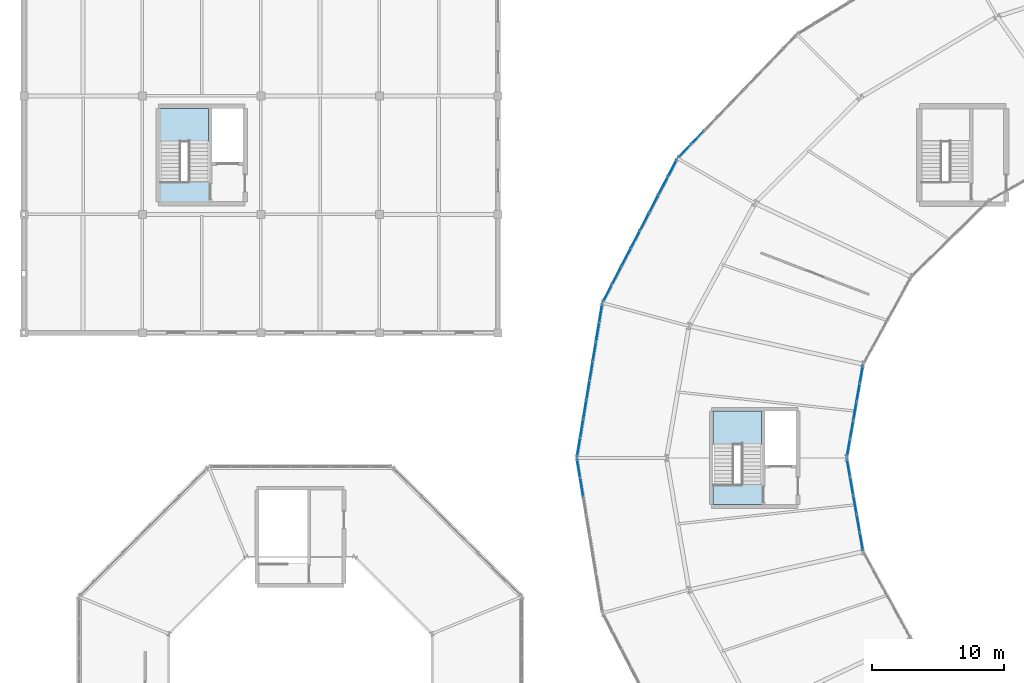
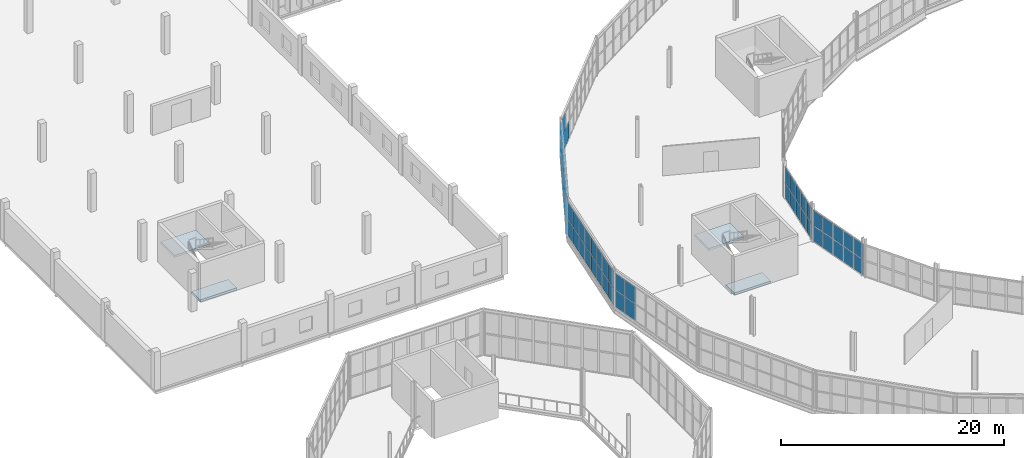
# One storey, part 113 of 161: 59 plates, 4 slabs, 8 elements without a shape of their own.
"""IFC4 building model written with IfcOpenShell, lengths in metres."""

from ifc_helpers import new_model, si_unit, direction, frame, origin, origin_2d, place, context, subcontext, project, spatial, polyline, rectangle, outline, extrude, material, layer, layer_set, type_object, element, aggregate, save


model = new_model("IFC4")

# Units and contexts
model_context = context("Model", 3, precision=1e-05, world=origin(), true_north=direction((0.0, 1.0)))
body_context = subcontext(model_context, "Body", "Model", "MODEL_VIEW")
ifc_project = project(units=[si_unit("LENGTHUNIT", "METRE"), si_unit("AREAUNIT", "SQUARE_METRE"), si_unit("VOLUMEUNIT", "CUBIC_METRE"), si_unit("PLANEANGLEUNIT", "RADIAN"), si_unit("MASSUNIT", "GRAM", prefix="KILO")], contexts=[model_context])

# Site, building, storey
site_placement = place(None, origin())
site = spatial("IfcSite", under=ifc_project, at=site_placement, CompositionType="ELEMENT")
building_placement = place(site_placement, origin())
building = spatial("IfcBuilding", under=site, at=building_placement, Name="Kildeholm Park Wholesale Market", CompositionType="ELEMENT")
storey_placement = place(building_placement, frame((0.0, 0.0, 5.39990234375)))
storey = spatial("IfcBuildingStorey", under=building, at=storey_placement, Name="L01", CompositionType="ELEMENT", Elevation=5.39990234375)

# Curtain wall, plates
ifc_material_1 = material(Name="Anodised aluminium and low-E double-glazed glass", Category="aluminium")
curtain_wall_type = type_object("IfcCurtainWallType", Name="Market hall glazed arcade stick curtain wall CW-01", PredefinedType="NOTDEFINED", material=ifc_material_1)
curtain_wall_1_placement = place(storey_placement, origin())
curtain_wall_1 = element("IfcCurtainWall", 1, at=curtain_wall_1_placement, inside=storey, type_object=curtain_wall_type, Name="Curtain wall CW-V1-OT-09-1 CW-0044", PredefinedType="NOTDEFINED")
ifc_material_2 = material(Name="Double-glazed low-E insulated glass", Category="glass")
ifc_layer_1 = layer(ifc_material_2, 0.028076171875)
ifc_layer_set_1 = layer_set([ifc_layer_1], Name="Double-glazed low-E insulated glass")
plate_type = type_object("IfcPlateType", Name="Curtain-wall panel CWP-1 28 mm", PredefinedType="CURTAIN_PANEL", material=ifc_layer_set_1)
plate_1_placement = place(storey_placement, frame((51.15966796875, 113.843017578125, 0.06494140625), z_axis=(0.0, 0.0, 1.0), x_axis=(-0.69303795493, -0.720901097951, 0.0)))
plate_1 = element("IfcPlate", 2, at=plate_1_placement, type_object=plate_type, Name="CW-01 panel 8.1 PLT-0776", PredefinedType="CURTAIN_PANEL", context=body_context, shape_type="SweptSolid", body=[
    extrude(rectangle(XDim=1.378662109375, YDim=0.028076171875, at=origin_2d()), origin(), (0.0, 0.0, 1.0), 1.802490234375),
])
plate_2_placement = place(storey_placement, frame((50.17041015625, 112.81396484375, 0.06494140625), z_axis=(0.0, 0.0, 1.0), x_axis=(-0.69303795493, -0.720901097951, 0.0)))
plate_2 = element("IfcPlate", 3, at=plate_2_placement, type_object=plate_type, Name="CW-01 panel 9.1 PLT-0778", PredefinedType="CURTAIN_PANEL", context=body_context, shape_type="SweptSolid", body=[
    extrude(rectangle(XDim=1.345947265625, YDim=0.028076171875, at=origin_2d()), origin(), (0.0, 0.0, 1.0), 1.802490234375),
])
plate_3_placement = place(storey_placement, frame((50.17041015625, 112.81396484375, 1.9326171875), z_axis=(0.0, 0.0, 1.0), x_axis=(-0.69303795493, -0.720901097951, 0.0)))
plate_3 = element("IfcPlate", 4, at=plate_3_placement, type_object=plate_type, Name="CW-01 panel 9.2 PLT-0779", PredefinedType="CURTAIN_PANEL", context=body_context, shape_type="SweptSolid", body=[
    extrude(rectangle(XDim=1.345947265625, YDim=0.028076171875, at=origin_2d()), origin(), (0.0, 0.0, 1.0), 1.802490234375),
])
aggregate(curtain_wall_1, [plate_1, plate_2, plate_3])

curtain_wall_2_placement = place(storey_placement, origin())
curtain_wall_2 = element("IfcCurtainWall", 5, at=curtain_wall_2_placement, inside=storey, type_object=curtain_wall_type, Name="Curtain wall CW-V1-OT-10-1 CW-0049", PredefinedType="NOTDEFINED")
plate_4_placement = place(storey_placement, frame((49.2509765625, 111.52099609375, 0.06494140625), z_axis=(0.0, 0.0, 1.0), x_axis=(-0.460514375909, -0.88765224586, 0.0)))
plate_4 = element("IfcPlate", 6, at=plate_4_placement, type_object=plate_type, Name="CW-01 panel 1.1 PLT-0824", PredefinedType="CURTAIN_PANEL", context=body_context, shape_type="SweptSolid", body=[
    extrude(rectangle(XDim=1.43798828125, YDim=0.028076171875, at=origin_2d()), origin(), (0.0, 0.0, 1.0), 1.802490234375),
])
plate_5_placement = place(storey_placement, frame((49.2509765625, 111.52099609375, 1.9326171875), z_axis=(0.0, 0.0, 1.0), x_axis=(-0.460514375909, -0.88765224586, 0.0)))
plate_5 = element("IfcPlate", 7, at=plate_5_placement, type_object=plate_type, Name="CW-01 panel 1.2 PLT-0825", PredefinedType="CURTAIN_PANEL", context=body_context, shape_type="SweptSolid", body=[
    extrude(rectangle(XDim=1.43798828125, YDim=0.028076171875, at=origin_2d()), origin(), (0.0, 0.0, 1.0), 1.802490234375),
])
plate_6_placement = place(storey_placement, frame((48.55126953125, 110.172607421875, 0.06494140625), z_axis=(0.0, 0.0, 1.0), x_axis=(-0.460514375909, -0.88765224586, 0.0)))
plate_6 = element("IfcPlate", 8, at=plate_6_placement, type_object=plate_type, Name="CW-01 panel 2.1 PLT-0826", PredefinedType="CURTAIN_PANEL", context=body_context, shape_type="SweptSolid", body=[
    extrude(rectangle(XDim=1.470458984375, YDim=0.028076171875, at=origin_2d()), origin(), (0.0, 0.0, 1.0), 1.802490234375),
])
plate_7_placement = place(storey_placement, frame((48.55126953125, 110.172607421875, 1.9326171875), z_axis=(0.0, 0.0, 1.0), x_axis=(-0.460514375909, -0.88765224586, 0.0)))
plate_7 = element("IfcPlate", 9, at=plate_7_placement, type_object=plate_type, Name="CW-01 panel 2.2 PLT-0827", PredefinedType="CURTAIN_PANEL", context=body_context, shape_type="SweptSolid", body=[
    extrude(rectangle(XDim=1.470458984375, YDim=0.028076171875, at=origin_2d()), origin(), (0.0, 0.0, 1.0), 1.802490234375),
])
plate_8_placement = place(storey_placement, frame((47.84423828125, 108.8095703125, 0.06494140625), z_axis=(0.0, 0.0, 1.0), x_axis=(-0.460514375909, -0.88765224586, 0.0)))
plate_8 = element("IfcPlate", 10, at=plate_8_placement, type_object=plate_type, Name="CW-01 panel 3.1 PLT-0828", PredefinedType="CURTAIN_PANEL", context=body_context, shape_type="SweptSolid", body=[
    extrude(rectangle(XDim=1.470458984375, YDim=0.028076171875, at=origin_2d()), origin(), (0.0, 0.0, 1.0), 1.802490234375),
])
plate_9_placement = place(storey_placement, frame((47.84423828125, 108.8095703125, 1.9326171875), z_axis=(0.0, 0.0, 1.0), x_axis=(-0.460514375909, -0.88765224586, 0.0)))
plate_9 = element("IfcPlate", 11, at=plate_9_placement, type_object=plate_type, Name="CW-01 panel 3.2 PLT-0829", PredefinedType="CURTAIN_PANEL", context=body_context, shape_type="SweptSolid", body=[
    extrude(rectangle(XDim=1.470458984375, YDim=0.028076171875, at=origin_2d()), origin(), (0.0, 0.0, 1.0), 1.802490234375),
])
plate_10_placement = place(storey_placement, frame((47.136962890625, 107.446533203125, 0.06494140625), z_axis=(0.0, 0.0, 1.0), x_axis=(-0.460514375909, -0.88765224586, 0.0)))
plate_10 = element("IfcPlate", 12, at=plate_10_placement, type_object=plate_type, Name="CW-01 panel 4.1 PLT-0830", PredefinedType="CURTAIN_PANEL", context=body_context, shape_type="SweptSolid", body=[
    extrude(rectangle(XDim=1.470458984375, YDim=0.028076171875, at=origin_2d()), origin(), (0.0, 0.0, 1.0), 1.802490234375),
])
plate_11_placement = place(storey_placement, frame((47.136962890625, 107.446533203125, 1.9326171875), z_axis=(0.0, 0.0, 1.0), x_axis=(-0.460514375909, -0.88765224586, 0.0)))
plate_11 = element("IfcPlate", 13, at=plate_11_placement, type_object=plate_type, Name="CW-01 panel 4.2 PLT-0831", PredefinedType="CURTAIN_PANEL", context=body_context, shape_type="SweptSolid", body=[
    extrude(rectangle(XDim=1.470458984375, YDim=0.028076171875, at=origin_2d()), origin(), (0.0, 0.0, 1.0), 1.802490234375),
])
plate_12_placement = place(storey_placement, frame((46.429931640625, 106.08349609375, 0.06494140625), z_axis=(0.0, 0.0, 1.0), x_axis=(-0.460514375909, -0.88765224586, 0.0)))
plate_12 = element("IfcPlate", 14, at=plate_12_placement, type_object=plate_type, Name="CW-01 panel 5.1 PLT-0832", PredefinedType="CURTAIN_PANEL", context=body_context, shape_type="SweptSolid", body=[
    extrude(rectangle(XDim=1.470458984375, YDim=0.028076171875, at=origin_2d()), origin(), (0.0, 0.0, 1.0), 1.802490234375),
])
plate_13_placement = place(storey_placement, frame((46.429931640625, 106.08349609375, 1.9326171875), z_axis=(0.0, 0.0, 1.0), x_axis=(-0.460514375909, -0.88765224586, 0.0)))
plate_13 = element("IfcPlate", 15, at=plate_13_placement, type_object=plate_type, Name="CW-01 panel 5.2 PLT-0833", PredefinedType="CURTAIN_PANEL", context=body_context, shape_type="SweptSolid", body=[
    extrude(rectangle(XDim=1.470458984375, YDim=0.028076171875, at=origin_2d()), origin(), (0.0, 0.0, 1.0), 1.802490234375),
])
plate_14_placement = place(storey_placement, frame((45.722900390625, 104.720458984375, 0.06494140625), z_axis=(0.0, 0.0, 1.0), x_axis=(-0.460514375909, -0.88765224586, 0.0)))
plate_14 = element("IfcPlate", 16, at=plate_14_placement, type_object=plate_type, Name="CW-01 panel 6.1 PLT-0834", PredefinedType="CURTAIN_PANEL", context=body_context, shape_type="SweptSolid", body=[
    extrude(rectangle(XDim=1.470458984375, YDim=0.028076171875, at=origin_2d()), origin(), (0.0, 0.0, 1.0), 1.802490234375),
])
plate_15_placement = place(storey_placement, frame((45.722900390625, 104.720458984375, 1.9326171875), z_axis=(0.0, 0.0, 1.0), x_axis=(-0.460514375909, -0.88765224586, 0.0)))
plate_15 = element("IfcPlate", 17, at=plate_15_placement, type_object=plate_type, Name="CW-01 panel 6.2 PLT-0835", PredefinedType="CURTAIN_PANEL", context=body_context, shape_type="SweptSolid", body=[
    extrude(rectangle(XDim=1.470458984375, YDim=0.028076171875, at=origin_2d()), origin(), (0.0, 0.0, 1.0), 1.802490234375),
])
plate_16_placement = place(storey_placement, frame((45.015625, 103.357421875, 0.06494140625), z_axis=(0.0, 0.0, 1.0), x_axis=(-0.460514375909, -0.88765224586, 0.0)))
plate_16 = element("IfcPlate", 18, at=plate_16_placement, type_object=plate_type, Name="CW-01 panel 7.1 PLT-0836", PredefinedType="CURTAIN_PANEL", context=body_context, shape_type="SweptSolid", body=[
    extrude(rectangle(XDim=1.470458984375, YDim=0.028076171875, at=origin_2d()), origin(), (0.0, 0.0, 1.0), 1.802490234375),
])
plate_17_placement = place(storey_placement, frame((45.015625, 103.357421875, 1.9326171875), z_axis=(0.0, 0.0, 1.0), x_axis=(-0.460514375909, -0.88765224586, 0.0)))
plate_17 = element("IfcPlate", 19, at=plate_17_placement, type_object=plate_type, Name="CW-01 panel 7.2 PLT-0837", PredefinedType="CURTAIN_PANEL", context=body_context, shape_type="SweptSolid", body=[
    extrude(rectangle(XDim=1.470458984375, YDim=0.028076171875, at=origin_2d()), origin(), (0.0, 0.0, 1.0), 1.802490234375),
])
plate_18_placement = place(storey_placement, frame((44.316162109375, 102.009033203125, 0.06494140625), z_axis=(0.0, 0.0, 1.0), x_axis=(-0.460514375909, -0.88765224586, 0.0)))
plate_18 = element("IfcPlate", 20, at=plate_18_placement, type_object=plate_type, Name="CW-01 panel 8.1 PLT-0838", PredefinedType="CURTAIN_PANEL", context=body_context, shape_type="SweptSolid", body=[
    extrude(rectangle(XDim=1.43798828125, YDim=0.028076171875, at=origin_2d()), origin(), (0.0, 0.0, 1.0), 1.802490234375),
])
plate_19_placement = place(storey_placement, frame((44.316162109375, 102.009033203125, 1.9326171875), z_axis=(0.0, 0.0, 1.0), x_axis=(-0.460514375909, -0.88765224586, 0.0)))
plate_19 = element("IfcPlate", 21, at=plate_19_placement, type_object=plate_type, Name="CW-01 panel 8.2 PLT-0839", PredefinedType="CURTAIN_PANEL", context=body_context, shape_type="SweptSolid", body=[
    extrude(rectangle(XDim=1.43798828125, YDim=0.028076171875, at=origin_2d()), origin(), (0.0, 0.0, 1.0), 1.802490234375),
])
aggregate(curtain_wall_2, [plate_4, plate_5, plate_6, plate_7, plate_8, plate_9, plate_10, plate_11, plate_12, plate_13, plate_14, plate_15, plate_16, plate_17, plate_18, plate_19])

curtain_wall_3_placement = place(storey_placement, origin())
curtain_wall_3 = element("IfcCurtainWall", 22, at=curtain_wall_3_placement, inside=storey, type_object=curtain_wall_type, Name="Curtain wall CW-V1-OT-11-1 CW-0054", PredefinedType="NOTDEFINED")
plate_20_placement = place(storey_placement, frame((43.805908203125, 100.49072265625, 0.06494140625), z_axis=(0.0, 0.0, 1.0), x_axis=(-0.162702713317, -0.98667513756, 0.0)))
plate_20 = element("IfcPlate", 23, at=plate_20_placement, type_object=plate_type, Name="CW-01 panel 1.1 PLT-0884", PredefinedType="CURTAIN_PANEL", context=body_context, shape_type="SweptSolid", body=[
    extrude(rectangle(XDim=1.384521484375, YDim=0.028076171875, at=origin_2d()), origin(), (0.0, 0.0, 1.0), 1.802490234375),
])
plate_21_placement = place(storey_placement, frame((43.805908203125, 100.49072265625, 1.9326171875), z_axis=(0.0, 0.0, 1.0), x_axis=(-0.162702713317, -0.98667513756, 0.0)))
plate_21 = element("IfcPlate", 24, at=plate_21_placement, type_object=plate_type, Name="CW-01 panel 1.2 PLT-0885", PredefinedType="CURTAIN_PANEL", context=body_context, shape_type="SweptSolid", body=[
    extrude(rectangle(XDim=1.384521484375, YDim=0.028076171875, at=origin_2d()), origin(), (0.0, 0.0, 1.0), 1.802490234375),
])
plate_22_placement = place(storey_placement, frame((43.5673828125, 99.044677734375, 0.06494140625), z_axis=(0.0, 0.0, 1.0), x_axis=(-0.162702713317, -0.98667513756, 0.0)))
plate_22 = element("IfcPlate", 25, at=plate_22_placement, type_object=plate_type, Name="CW-01 panel 2.1 PLT-0886", PredefinedType="CURTAIN_PANEL", context=body_context, shape_type="SweptSolid", body=[
    extrude(rectangle(XDim=1.4169921875, YDim=0.028076171875, at=origin_2d()), origin(), (0.0, 0.0, 1.0), 1.802490234375),
])
plate_23_placement = place(storey_placement, frame((43.5673828125, 99.044677734375, 1.9326171875), z_axis=(0.0, 0.0, 1.0), x_axis=(-0.162702713317, -0.98667513756, 0.0)))
plate_23 = element("IfcPlate", 26, at=plate_23_placement, type_object=plate_type, Name="CW-01 panel 2.2 PLT-0887", PredefinedType="CURTAIN_PANEL", context=body_context, shape_type="SweptSolid", body=[
    extrude(rectangle(XDim=1.4169921875, YDim=0.028076171875, at=origin_2d()), origin(), (0.0, 0.0, 1.0), 1.802490234375),
])
plate_24_placement = place(storey_placement, frame((43.326171875, 97.582275390625, 0.06494140625), z_axis=(0.0, 0.0, 1.0), x_axis=(-0.162702713317, -0.98667513756, 0.0)))
plate_24 = element("IfcPlate", 27, at=plate_24_placement, type_object=plate_type, Name="CW-01 panel 3.1 PLT-0888", PredefinedType="CURTAIN_PANEL", context=body_context, shape_type="SweptSolid", body=[
    extrude(rectangle(XDim=1.4169921875, YDim=0.028076171875, at=origin_2d()), origin(), (0.0, 0.0, 1.0), 1.802490234375),
])
plate_25_placement = place(storey_placement, frame((43.326171875, 97.582275390625, 1.9326171875), z_axis=(0.0, 0.0, 1.0), x_axis=(-0.162702713317, -0.98667513756, 0.0)))
plate_25 = element("IfcPlate", 28, at=plate_25_placement, type_object=plate_type, Name="CW-01 panel 3.2 PLT-0889", PredefinedType="CURTAIN_PANEL", context=body_context, shape_type="SweptSolid", body=[
    extrude(rectangle(XDim=1.4169921875, YDim=0.028076171875, at=origin_2d()), origin(), (0.0, 0.0, 1.0), 1.802490234375),
])
plate_26_placement = place(storey_placement, frame((43.0849609375, 96.1201171875, 0.06494140625), z_axis=(0.0, 0.0, 1.0), x_axis=(-0.162702713317, -0.98667513756, 0.0)))
plate_26 = element("IfcPlate", 29, at=plate_26_placement, type_object=plate_type, Name="CW-01 panel 4.1 PLT-0890", PredefinedType="CURTAIN_PANEL", context=body_context, shape_type="SweptSolid", body=[
    extrude(rectangle(XDim=1.4169921875, YDim=0.028076171875, at=origin_2d()), origin(), (0.0, 0.0, 1.0), 1.802490234375),
])
plate_27_placement = place(storey_placement, frame((43.0849609375, 96.1201171875, 1.9326171875), z_axis=(0.0, 0.0, 1.0), x_axis=(-0.162702713317, -0.98667513756, 0.0)))
plate_27 = element("IfcPlate", 30, at=plate_27_placement, type_object=plate_type, Name="CW-01 panel 4.2 PLT-0891", PredefinedType="CURTAIN_PANEL", context=body_context, shape_type="SweptSolid", body=[
    extrude(rectangle(XDim=1.4169921875, YDim=0.028076171875, at=origin_2d()), origin(), (0.0, 0.0, 1.0), 1.802490234375),
])
plate_28_placement = place(storey_placement, frame((42.843994140625, 94.657958984375, 0.06494140625), z_axis=(0.0, 0.0, 1.0), x_axis=(-0.162702713317, -0.98667513756, 0.0)))
plate_28 = element("IfcPlate", 31, at=plate_28_placement, type_object=plate_type, Name="CW-01 panel 5.1 PLT-0892", PredefinedType="CURTAIN_PANEL", context=body_context, shape_type="SweptSolid", body=[
    extrude(rectangle(XDim=1.4169921875, YDim=0.028076171875, at=origin_2d()), origin(), (0.0, 0.0, 1.0), 1.802490234375),
])
plate_29_placement = place(storey_placement, frame((42.843994140625, 94.657958984375, 1.9326171875), z_axis=(0.0, 0.0, 1.0), x_axis=(-0.162702713317, -0.98667513756, 0.0)))
plate_29 = element("IfcPlate", 32, at=plate_29_placement, type_object=plate_type, Name="CW-01 panel 5.2 PLT-0893", PredefinedType="CURTAIN_PANEL", context=body_context, shape_type="SweptSolid", body=[
    extrude(rectangle(XDim=1.4169921875, YDim=0.028076171875, at=origin_2d()), origin(), (0.0, 0.0, 1.0), 1.802490234375),
])
plate_30_placement = place(storey_placement, frame((42.602783203125, 93.195556640625, 0.06494140625), z_axis=(0.0, 0.0, 1.0), x_axis=(-0.162702713317, -0.98667513756, 0.0)))
plate_30 = element("IfcPlate", 33, at=plate_30_placement, type_object=plate_type, Name="CW-01 panel 6.1 PLT-0894", PredefinedType="CURTAIN_PANEL", context=body_context, shape_type="SweptSolid", body=[
    extrude(rectangle(XDim=1.4169921875, YDim=0.028076171875, at=origin_2d()), origin(), (0.0, 0.0, 1.0), 1.802490234375),
])
plate_31_placement = place(storey_placement, frame((42.602783203125, 93.195556640625, 1.9326171875), z_axis=(0.0, 0.0, 1.0), x_axis=(-0.162702713317, -0.98667513756, 0.0)))
plate_31 = element("IfcPlate", 34, at=plate_31_placement, type_object=plate_type, Name="CW-01 panel 6.2 PLT-0895", PredefinedType="CURTAIN_PANEL", context=body_context, shape_type="SweptSolid", body=[
    extrude(rectangle(XDim=1.4169921875, YDim=0.028076171875, at=origin_2d()), origin(), (0.0, 0.0, 1.0), 1.802490234375),
])
plate_32_placement = place(storey_placement, frame((42.361572265625, 91.7333984375, 0.06494140625), z_axis=(0.0, 0.0, 1.0), x_axis=(-0.162702713317, -0.98667513756, 0.0)))
plate_32 = element("IfcPlate", 35, at=plate_32_placement, type_object=plate_type, Name="CW-01 panel 7.1 PLT-0896", PredefinedType="CURTAIN_PANEL", context=body_context, shape_type="SweptSolid", body=[
    extrude(rectangle(XDim=1.4169921875, YDim=0.028076171875, at=origin_2d()), origin(), (0.0, 0.0, 1.0), 1.802490234375),
])
plate_33_placement = place(storey_placement, frame((42.361572265625, 91.7333984375, 1.9326171875), z_axis=(0.0, 0.0, 1.0), x_axis=(-0.162702713317, -0.98667513756, 0.0)))
plate_33 = element("IfcPlate", 36, at=plate_33_placement, type_object=plate_type, Name="CW-01 panel 7.2 PLT-0897", PredefinedType="CURTAIN_PANEL", context=body_context, shape_type="SweptSolid", body=[
    extrude(rectangle(XDim=1.4169921875, YDim=0.028076171875, at=origin_2d()), origin(), (0.0, 0.0, 1.0), 1.802490234375),
])
plate_34_placement = place(storey_placement, frame((42.123291015625, 90.287109375, 0.06494140625), z_axis=(0.0, 0.0, 1.0), x_axis=(-0.162702713317, -0.98667513756, 0.0)))
plate_34 = element("IfcPlate", 37, at=plate_34_placement, type_object=plate_type, Name="CW-01 panel 8.1 PLT-0898", PredefinedType="CURTAIN_PANEL", context=body_context, shape_type="SweptSolid", body=[
    extrude(rectangle(XDim=1.384521484375, YDim=0.028076171875, at=origin_2d()), origin(), (0.0, 0.0, 1.0), 1.802490234375),
])
plate_35_placement = place(storey_placement, frame((42.123291015625, 90.287109375, 1.9326171875), z_axis=(0.0, 0.0, 1.0), x_axis=(-0.162702713317, -0.98667513756, 0.0)))
plate_35 = element("IfcPlate", 38, at=plate_35_placement, type_object=plate_type, Name="CW-01 panel 8.2 PLT-0899", PredefinedType="CURTAIN_PANEL", context=body_context, shape_type="SweptSolid", body=[
    extrude(rectangle(XDim=1.384521484375, YDim=0.028076171875, at=origin_2d()), origin(), (0.0, 0.0, 1.0), 1.802490234375),
])
aggregate(curtain_wall_3, [plate_20, plate_21, plate_22, plate_23, plate_24, plate_25, plate_26, plate_27, plate_28, plate_29, plate_30, plate_31, plate_32, plate_33, plate_34, plate_35])

curtain_wall_4_placement = place(storey_placement, origin())
curtain_wall_4 = element("IfcCurtainWall", 39, at=curtain_wall_4_placement, inside=storey, type_object=curtain_wall_type, Name="Curtain wall CW-V1-IN1-11 CW-0057", PredefinedType="NOTDEFINED")
plate_36_placement = place(storey_placement, frame((63.603759765625, 95.856689453125, 0.074951171875), z_axis=(0.0, 0.0, 1.0), x_axis=(-0.172132515628, -0.985073802851, 0.0)))
plate_36 = element("IfcPlate", 40, at=plate_36_placement, type_object=plate_type, Name="CW-01 panel 1.1 PLT-0924", PredefinedType="CURTAIN_PANEL", context=body_context, shape_type="SweptSolid", body=[
    extrude(rectangle(XDim=1.316650390625, YDim=0.028076171875, at=origin_2d()), origin(), (0.0, 0.0, 1.0), 1.66259765625),
])
plate_37_placement = place(storey_placement, frame((63.603759765625, 95.856689453125, 1.8125), z_axis=(0.0, 0.0, 1.0), x_axis=(-0.172132515628, -0.985073802851, 0.0)))
plate_37 = element("IfcPlate", 41, at=plate_37_placement, type_object=plate_type, Name="CW-01 panel 1.2 PLT-0925", PredefinedType="CURTAIN_PANEL", context=body_context, shape_type="SweptSolid", body=[
    extrude(rectangle(XDim=1.316650390625, YDim=0.028076171875, at=origin_2d()), origin(), (0.0, 0.0, 1.0), 1.66259765625),
])
plate_38_placement = place(storey_placement, frame((63.361083984375, 94.46728515625, 0.074951171875), z_axis=(0.0, 0.0, 1.0), x_axis=(-0.172132515628, -0.985073802851, 0.0)))
plate_38 = element("IfcPlate", 42, at=plate_38_placement, type_object=plate_type, Name="CW-01 panel 2.1 PLT-0926", PredefinedType="CURTAIN_PANEL", context=body_context, shape_type="SweptSolid", body=[
    extrude(rectangle(XDim=1.354248046875, YDim=0.028076171875, at=origin_2d()), origin(), (0.0, 0.0, 1.0), 1.66259765625),
])
plate_39_placement = place(storey_placement, frame((63.361083984375, 94.46728515625, 1.8125), z_axis=(0.0, 0.0, 1.0), x_axis=(-0.172132515628, -0.985073802851, 0.0)))
plate_39 = element("IfcPlate", 43, at=plate_39_placement, type_object=plate_type, Name="CW-01 panel 2.2 PLT-0927", PredefinedType="CURTAIN_PANEL", context=body_context, shape_type="SweptSolid", body=[
    extrude(rectangle(XDim=1.354248046875, YDim=0.028076171875, at=origin_2d()), origin(), (0.0, 0.0, 1.0), 1.66259765625),
])
plate_40_placement = place(storey_placement, frame((63.114990234375, 93.0595703125, 0.074951171875), z_axis=(0.0, 0.0, 1.0), x_axis=(-0.172132515628, -0.985073802851, 0.0)))
plate_40 = element("IfcPlate", 44, at=plate_40_placement, type_object=plate_type, Name="CW-01 panel 3.1 PLT-0928", PredefinedType="CURTAIN_PANEL", context=body_context, shape_type="SweptSolid", body=[
    extrude(rectangle(XDim=1.354248046875, YDim=0.028076171875, at=origin_2d()), origin(), (0.0, 0.0, 1.0), 1.66259765625),
])
plate_41_placement = place(storey_placement, frame((63.114990234375, 93.0595703125, 1.8125), z_axis=(0.0, 0.0, 1.0), x_axis=(-0.172132515628, -0.985073802851, 0.0)))
plate_41 = element("IfcPlate", 45, at=plate_41_placement, type_object=plate_type, Name="CW-01 panel 3.2 PLT-0929", PredefinedType="CURTAIN_PANEL", context=body_context, shape_type="SweptSolid", body=[
    extrude(rectangle(XDim=1.354248046875, YDim=0.028076171875, at=origin_2d()), origin(), (0.0, 0.0, 1.0), 1.66259765625),
])
plate_42_placement = place(storey_placement, frame((62.868896484375, 91.651611328125, 0.074951171875), z_axis=(0.0, 0.0, 1.0), x_axis=(-0.172132515628, -0.985073802851, 0.0)))
plate_42 = element("IfcPlate", 46, at=plate_42_placement, type_object=plate_type, Name="CW-01 panel 4.1 PLT-0930", PredefinedType="CURTAIN_PANEL", context=body_context, shape_type="SweptSolid", body=[
    extrude(rectangle(XDim=1.354248046875, YDim=0.028076171875, at=origin_2d()), origin(), (0.0, 0.0, 1.0), 1.66259765625),
])
plate_43_placement = place(storey_placement, frame((62.868896484375, 91.651611328125, 1.8125), z_axis=(0.0, 0.0, 1.0), x_axis=(-0.172132515628, -0.985073802851, 0.0)))
plate_43 = element("IfcPlate", 47, at=plate_43_placement, type_object=plate_type, Name="CW-01 panel 4.2 PLT-0931", PredefinedType="CURTAIN_PANEL", context=body_context, shape_type="SweptSolid", body=[
    extrude(rectangle(XDim=1.354248046875, YDim=0.028076171875, at=origin_2d()), origin(), (0.0, 0.0, 1.0), 1.66259765625),
])
plate_44_placement = place(storey_placement, frame((62.626220703125, 90.262451171875, 0.074951171875), z_axis=(0.0, 0.0, 1.0), x_axis=(-0.172132515628, -0.985073802851, 0.0)))
plate_44 = element("IfcPlate", 48, at=plate_44_placement, type_object=plate_type, Name="CW-01 panel 5.1 PLT-0932", PredefinedType="CURTAIN_PANEL", context=body_context, shape_type="SweptSolid", body=[
    extrude(rectangle(XDim=1.316650390625, YDim=0.028076171875, at=origin_2d()), origin(), (0.0, 0.0, 1.0), 1.66259765625),
])
plate_45_placement = place(storey_placement, frame((62.626220703125, 90.262451171875, 1.8125), z_axis=(0.0, 0.0, 1.0), x_axis=(-0.172132515628, -0.985073802851, 0.0)))
plate_45 = element("IfcPlate", 49, at=plate_45_placement, type_object=plate_type, Name="CW-01 panel 5.2 PLT-0933", PredefinedType="CURTAIN_PANEL", context=body_context, shape_type="SweptSolid", body=[
    extrude(rectangle(XDim=1.316650390625, YDim=0.028076171875, at=origin_2d()), origin(), (0.0, 0.0, 1.0), 1.66259765625),
])
aggregate(curtain_wall_4, [plate_36, plate_37, plate_38, plate_39, plate_40, plate_41, plate_42, plate_43, plate_44, plate_45])

curtain_wall_5_placement = place(storey_placement, origin())
curtain_wall_5 = element("IfcCurtainWall", 50, at=curtain_wall_5_placement, inside=storey, type_object=curtain_wall_type, Name="Curtain wall CW-V1-OT-12-1 CW-0059", PredefinedType="NOTDEFINED")
plate_46_placement = place(storey_placement, frame((42.123291015625, 88.712890625, 0.06494140625), z_axis=(0.0, 0.0, 1.0), x_axis=(0.162702713317, -0.98667513756, 0.0)))
plate_46 = element("IfcPlate", 51, at=plate_46_placement, type_object=plate_type, Name="CW-01 panel 1.1 PLT-0944", PredefinedType="CURTAIN_PANEL", context=body_context, shape_type="SweptSolid", body=[
    extrude(rectangle(XDim=1.384521484375, YDim=0.028076171875, at=origin_2d()), origin(), (0.0, 0.0, 1.0), 1.802490234375),
])
plate_47_placement = place(storey_placement, frame((42.123291015625, 88.712890625, 1.9326171875), z_axis=(0.0, 0.0, 1.0), x_axis=(0.162702713317, -0.98667513756, 0.0)))
plate_47 = element("IfcPlate", 52, at=plate_47_placement, type_object=plate_type, Name="CW-01 panel 1.2 PLT-0945", PredefinedType="CURTAIN_PANEL", context=body_context, shape_type="SweptSolid", body=[
    extrude(rectangle(XDim=1.384521484375, YDim=0.028076171875, at=origin_2d()), origin(), (0.0, 0.0, 1.0), 1.802490234375),
])
plate_48_placement = place(storey_placement, frame((42.361572265625, 87.2666015625, 0.06494140625), z_axis=(0.0, 0.0, 1.0), x_axis=(0.162702713317, -0.98667513756, 0.0)))
plate_48 = element("IfcPlate", 53, at=plate_48_placement, type_object=plate_type, Name="CW-01 panel 2.1 PLT-0946", PredefinedType="CURTAIN_PANEL", context=body_context, shape_type="SweptSolid", body=[
    extrude(rectangle(XDim=1.4169921875, YDim=0.028076171875, at=origin_2d()), origin(), (0.0, 0.0, 1.0), 1.802490234375),
])
plate_49_placement = place(storey_placement, frame((42.361572265625, 87.2666015625, 1.9326171875), z_axis=(0.0, 0.0, 1.0), x_axis=(0.162702713317, -0.98667513756, 0.0)))
plate_49 = element("IfcPlate", 54, at=plate_49_placement, type_object=plate_type, Name="CW-01 panel 2.2 PLT-0947", PredefinedType="CURTAIN_PANEL", context=body_context, shape_type="SweptSolid", body=[
    extrude(rectangle(XDim=1.4169921875, YDim=0.028076171875, at=origin_2d()), origin(), (0.0, 0.0, 1.0), 1.802490234375),
])
aggregate(curtain_wall_5, [plate_46, plate_47, plate_48, plate_49])

curtain_wall_6_placement = place(storey_placement, origin())
curtain_wall_6 = element("IfcCurtainWall", 55, at=curtain_wall_6_placement, inside=storey, type_object=curtain_wall_type, Name="Curtain wall CW-V1-IN1-12 CW-0062", PredefinedType="NOTDEFINED")
plate_50_placement = place(storey_placement, frame((62.626220703125, 88.737548828125, 0.074951171875), z_axis=(0.0, 0.0, 1.0), x_axis=(0.172132515628, -0.985073802851, 0.0)))
plate_50 = element("IfcPlate", 56, at=plate_50_placement, type_object=plate_type, Name="CW-01 panel 1.1 PLT-0984", PredefinedType="CURTAIN_PANEL", context=body_context, shape_type="SweptSolid", body=[
    extrude(rectangle(XDim=1.316650390625, YDim=0.028076171875, at=origin_2d()), origin(), (0.0, 0.0, 1.0), 1.66259765625),
])
plate_51_placement = place(storey_placement, frame((62.626220703125, 88.737548828125, 1.8125), z_axis=(0.0, 0.0, 1.0), x_axis=(0.172132515628, -0.985073802851, 0.0)))
plate_51 = element("IfcPlate", 57, at=plate_51_placement, type_object=plate_type, Name="CW-01 panel 1.2 PLT-0985", PredefinedType="CURTAIN_PANEL", context=body_context, shape_type="SweptSolid", body=[
    extrude(rectangle(XDim=1.316650390625, YDim=0.028076171875, at=origin_2d()), origin(), (0.0, 0.0, 1.0), 1.66259765625),
])
plate_52_placement = place(storey_placement, frame((62.868896484375, 87.348388671875, 0.074951171875), z_axis=(0.0, 0.0, 1.0), x_axis=(0.172132515628, -0.985073802851, 0.0)))
plate_52 = element("IfcPlate", 58, at=plate_52_placement, type_object=plate_type, Name="CW-01 panel 2.1 PLT-0986", PredefinedType="CURTAIN_PANEL", context=body_context, shape_type="SweptSolid", body=[
    extrude(rectangle(XDim=1.354248046875, YDim=0.028076171875, at=origin_2d()), origin(), (0.0, 0.0, 1.0), 1.66259765625),
])
plate_53_placement = place(storey_placement, frame((62.868896484375, 87.348388671875, 1.8125), z_axis=(0.0, 0.0, 1.0), x_axis=(0.172132515628, -0.985073802851, 0.0)))
plate_53 = element("IfcPlate", 59, at=plate_53_placement, type_object=plate_type, Name="CW-01 panel 2.2 PLT-0987", PredefinedType="CURTAIN_PANEL", context=body_context, shape_type="SweptSolid", body=[
    extrude(rectangle(XDim=1.354248046875, YDim=0.028076171875, at=origin_2d()), origin(), (0.0, 0.0, 1.0), 1.66259765625),
])
plate_54_placement = place(storey_placement, frame((63.114990234375, 85.9404296875, 0.074951171875), z_axis=(0.0, 0.0, 1.0), x_axis=(0.172132515628, -0.985073802851, 0.0)))
plate_54 = element("IfcPlate", 60, at=plate_54_placement, type_object=plate_type, Name="CW-01 panel 3.1 PLT-0988", PredefinedType="CURTAIN_PANEL", context=body_context, shape_type="SweptSolid", body=[
    extrude(rectangle(XDim=1.354248046875, YDim=0.028076171875, at=origin_2d()), origin(), (0.0, 0.0, 1.0), 1.66259765625),
])
plate_55_placement = place(storey_placement, frame((63.114990234375, 85.9404296875, 1.8125), z_axis=(0.0, 0.0, 1.0), x_axis=(0.172132515628, -0.985073802851, 0.0)))
plate_55 = element("IfcPlate", 61, at=plate_55_placement, type_object=plate_type, Name="CW-01 panel 3.2 PLT-0989", PredefinedType="CURTAIN_PANEL", context=body_context, shape_type="SweptSolid", body=[
    extrude(rectangle(XDim=1.354248046875, YDim=0.028076171875, at=origin_2d()), origin(), (0.0, 0.0, 1.0), 1.66259765625),
])
plate_56_placement = place(storey_placement, frame((63.361083984375, 84.53271484375, 0.074951171875), z_axis=(0.0, 0.0, 1.0), x_axis=(0.172132515628, -0.985073802851, 0.0)))
plate_56 = element("IfcPlate", 62, at=plate_56_placement, type_object=plate_type, Name="CW-01 panel 4.1 PLT-0990", PredefinedType="CURTAIN_PANEL", context=body_context, shape_type="SweptSolid", body=[
    extrude(rectangle(XDim=1.354248046875, YDim=0.028076171875, at=origin_2d()), origin(), (0.0, 0.0, 1.0), 1.66259765625),
])
plate_57_placement = place(storey_placement, frame((63.361083984375, 84.53271484375, 1.8125), z_axis=(0.0, 0.0, 1.0), x_axis=(0.172132515628, -0.985073802851, 0.0)))
plate_57 = element("IfcPlate", 63, at=plate_57_placement, type_object=plate_type, Name="CW-01 panel 4.2 PLT-0991", PredefinedType="CURTAIN_PANEL", context=body_context, shape_type="SweptSolid", body=[
    extrude(rectangle(XDim=1.354248046875, YDim=0.028076171875, at=origin_2d()), origin(), (0.0, 0.0, 1.0), 1.66259765625),
])
plate_58_placement = place(storey_placement, frame((63.603759765625, 83.143310546875, 0.074951171875), z_axis=(0.0, 0.0, 1.0), x_axis=(0.172132515628, -0.985073802851, 0.0)))
plate_58 = element("IfcPlate", 64, at=plate_58_placement, type_object=plate_type, Name="CW-01 panel 5.1 PLT-0992", PredefinedType="CURTAIN_PANEL", context=body_context, shape_type="SweptSolid", body=[
    extrude(rectangle(XDim=1.316650390625, YDim=0.028076171875, at=origin_2d()), origin(), (0.0, 0.0, 1.0), 1.66259765625),
])
plate_59_placement = place(storey_placement, frame((63.603759765625, 83.143310546875, 1.8125), z_axis=(0.0, 0.0, 1.0), x_axis=(0.172132515628, -0.985073802851, 0.0)))
plate_59 = element("IfcPlate", 65, at=plate_59_placement, type_object=plate_type, Name="CW-01 panel 5.2 PLT-0993", PredefinedType="CURTAIN_PANEL", context=body_context, shape_type="SweptSolid", body=[
    extrude(rectangle(XDim=1.316650390625, YDim=0.028076171875, at=origin_2d()), origin(), (0.0, 0.0, 1.0), 1.66259765625),
])
aggregate(curtain_wall_6, [plate_50, plate_51, plate_52, plate_53, plate_54, plate_55, plate_56, plate_57, plate_58, plate_59])

# Slab
ifc_material_3 = material(Name="Concrete C35/45", Category="concrete")
ifc_layer_2 = layer(ifc_material_3, 0.239990234375)
ifc_layer_set_2 = layer_set([ifc_layer_2], Name="Concrete C35/45")
slab_type = type_object("IfcSlabType", Name="Stair landing slab S-LD1 240 mm", PredefinedType="LANDING", material=ifc_layer_set_2)
slab_1_placement = place(storey_placement, frame((0.0, 0.0, -0.239990234375)))
element("IfcSlab", 66, at=slab_1_placement, inside=storey, type_object=slab_type, Name="Core C01 stair landing slab L01 SLB-0406", PredefinedType="LANDING", context=body_context, shape_type="SweptSolid", body=[
    extrude(outline(polyline([(10.35009765625, 108.949951171875), (14.14990234375, 108.949951171875), (14.14990234375, 110.5), (10.35009765625, 110.5), (10.35009765625, 108.949951171875)])), origin(), (0.0, 0.0, 1.0), 0.239990234375),
])

# Stair, slab
stair_type = type_object("IfcStairType", Name="Protected upper core escape stair ST-CR2", PredefinedType="HALF_TURN_STAIR", material=ifc_material_3)
stair_1_placement = place(storey_placement, origin())
stair_1 = element("IfcStair", 67, at=stair_1_placement, inside=storey, type_object=stair_type, Name="Escape stair C01 L01 STR-0002", PredefinedType="HALF_TURN_STAIR")
slab_2_placement = place(storey_placement, frame((0.0, 0.0, 1.860107421875)))
slab_2 = element("IfcSlab", 68, at=slab_2_placement, type_object=slab_type, Name="ST-01-01 landing 1 SLB-0407", PredefinedType="LANDING", context=body_context, shape_type="SweptSolid", body=[
    extrude(outline(polyline([(10.35009765625, 113.514892578125), (14.030029296875, 113.534912109375), (14.030029296875, 116.050048828125), (10.35009765625, 116.050048828125), (10.35009765625, 113.514892578125)])), origin(), (0.0, 0.0, 1.0), 0.239990234375),
])
aggregate(stair_1, [slab_2])

# Slab
slab_3_placement = place(storey_placement, frame((0.0, 0.0, -0.239990234375)))
element("IfcSlab", 69, at=slab_3_placement, inside=storey, type_object=slab_type, Name="Core C09 stair landing slab L01 SLB-0453", PredefinedType="LANDING", context=body_context, shape_type="SweptSolid", body=[
    extrude(outline(polyline([(52.35009765625, 85.949951171875), (56.14990234375, 85.949951171875), (56.14990234375, 87.5), (52.35009765625, 87.5), (52.35009765625, 85.949951171875)])), origin(), (0.0, 0.0, 1.0), 0.239990234375),
])

# Stair, slab
stair_2_placement = place(storey_placement, origin())
stair_2 = element("IfcStair", 70, at=stair_2_placement, inside=storey, type_object=stair_type, Name="Escape stair C09 L01 STR-0023", PredefinedType="HALF_TURN_STAIR")
slab_4_placement = place(storey_placement, frame((0.0, 0.0, 1.860107421875)))
slab_4 = element("IfcSlab", 71, at=slab_4_placement, type_object=slab_type, Name="ST-09-01 landing 1 SLB-0454", PredefinedType="LANDING", context=body_context, shape_type="SweptSolid", body=[
    extrude(outline(polyline([(52.35009765625, 90.514892578125), (56.030029296875, 90.534912109375), (56.030029296875, 93.050048828125), (52.35009765625, 93.050048828125), (52.35009765625, 90.514892578125)])), origin(), (0.0, 0.0, 1.0), 0.239990234375),
])
aggregate(stair_2, [slab_4])

save(model, "model.ifc")
